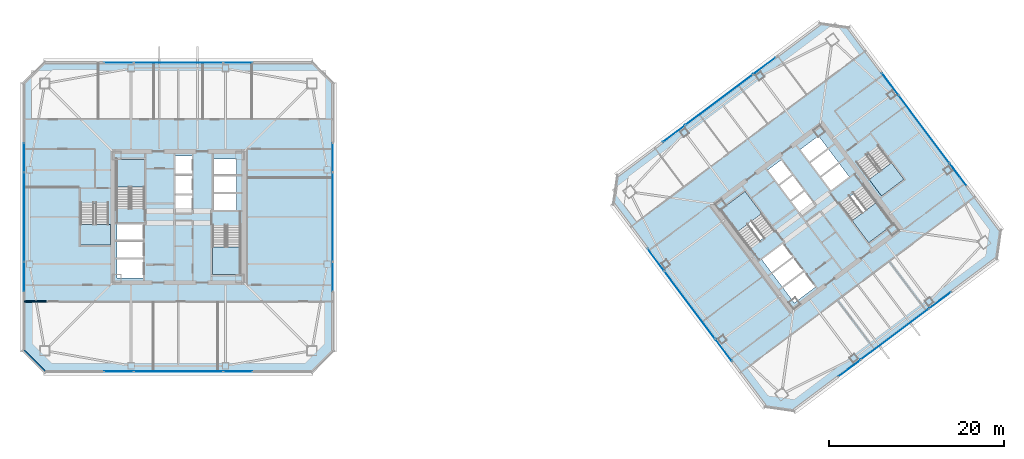
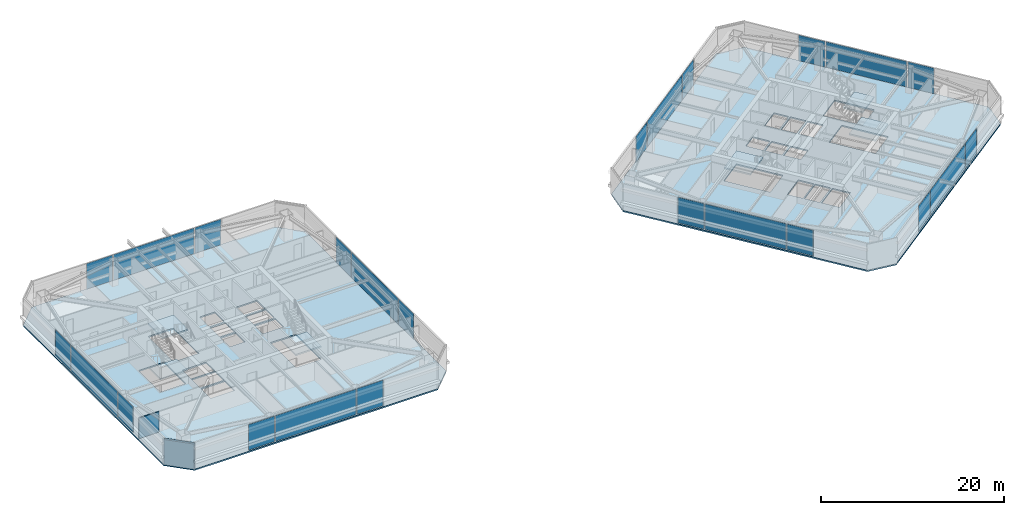
# One storey, part 31 of 42: 24 plates, 8 slabs, 2 walls, 30 elements without a shape of their own.
"""IFC4 building model written with IfcOpenShell, lengths in metres."""

from ifc_helpers import new_model, si_unit, direction, frame, frame_2d, origin, origin_2d, place, context, subcontext, project, spatial, polyline, rectangle, outline, extrude, material, layer, layer_set, type_object, element, aggregate, save


model = new_model("IFC4")

# Units and contexts
model_context = context("Model", 3, precision=1e-05, world=origin(), true_north=direction((0.0, 1.0)))
body_context = subcontext(model_context, "Body", "Model", "MODEL_VIEW")
ifc_project = project(units=[si_unit("LENGTHUNIT", "METRE"), si_unit("AREAUNIT", "SQUARE_METRE"), si_unit("VOLUMEUNIT", "CUBIC_METRE"), si_unit("PLANEANGLEUNIT", "RADIAN"), si_unit("MASSUNIT", "GRAM", prefix="KILO")], contexts=[model_context])

# Site, building, storey
site_placement = place(None, origin())
site = spatial("IfcSite", under=ifc_project, at=site_placement, CompositionType="ELEMENT")
building_placement = place(site_placement, origin())
building = spatial("IfcBuilding", under=site, at=building_placement, Name="Tashvorn Skyway Center", CompositionType="ELEMENT")
storey_placement = place(building_placement, frame((0.0, 0.0, 164.10009765625)))
storey = spatial("IfcBuildingStorey", under=building, at=storey_placement, Name="L44", CompositionType="ELEMENT", Elevation=164.10009765625)

# Curtain wall, plate
ifc_material_1 = material(Name="Thermally broken bronze-anodized aluminium 6063-T6", Category="aluminium")
curtain_wall_type = type_object("IfcCurtainWallType", Name="CW-CW-Z4", PredefinedType="NOTDEFINED", material=ifc_material_1)
curtain_wall_1_placement = place(storey_placement, origin())
curtain_wall_1 = element("IfcCurtainWall", 1, at=curtain_wall_1_placement, inside=storey, type_object=curtain_wall_type, Name="Tower 1 L44 South Unitised Curtain Wall Glazing Group 1", PredefinedType="NOTDEFINED")
ifc_material_2 = material(Name="Low-E solar-control double insulating safety glass", Category="glass")
ifc_layer_1 = layer(ifc_material_2, 0.035888671875)
ifc_layer_set_1 = layer_set([ifc_layer_1], Name="Low-E solar-control double insulating safety glass")
plate_type = type_object("IfcPlateType", Name="CWP-CW-Z4", PredefinedType="CURTAIN_PANEL", material=ifc_layer_set_1)
plate_1_placement = place(storey_placement, frame((48.83544921875, 14.320068359375, 0.06982421875), z_axis=(0.0, 0.0, 1.0), x_axis=(-1.0, 0.0, 0.0)))
plate_1 = element("IfcPlate", 2, at=plate_1_placement, type_object=plate_type, Name="CW-Z4 panel 1.1", PredefinedType="CURTAIN_PANEL", context=body_context, shape_type="SweptSolid", body=[
    extrude(rectangle(XDim=3.277587890625, YDim=0.035888671875, at=origin_2d()), origin(), (0.0, 0.0, 1.0), 3.409912109375),
])
aggregate(curtain_wall_1, [plate_1])

curtain_wall_2_placement = place(storey_placement, origin())
curtain_wall_2 = element("IfcCurtainWall", 3, at=curtain_wall_2_placement, inside=storey, type_object=curtain_wall_type, Name="Tower 1 L44 South Unitised Curtain Wall Glazing Group 2", PredefinedType="NOTDEFINED")
plate_2_placement = place(storey_placement, frame((42.0, 14.320068359375, 0.06982421875), z_axis=(0.0, 0.0, 1.0), x_axis=(-1.0, 0.0, 0.0)))
plate_2 = element("IfcPlate", 4, at=plate_2_placement, type_object=plate_type, Name="CW-Z4 panel 1.1", PredefinedType="CURTAIN_PANEL", context=body_context, shape_type="SweptSolid", body=[
    extrude(rectangle(XDim=10.11328125, YDim=0.035888671875, at=origin_2d()), origin(), (0.0, 0.0, 1.0), 3.409912109375),
])
aggregate(curtain_wall_2, [plate_2])

curtain_wall_3_placement = place(storey_placement, origin())
curtain_wall_3 = element("IfcCurtainWall", 5, at=curtain_wall_3_placement, inside=storey, type_object=curtain_wall_type, Name="Tower 1 L44 South Unitised Curtain Wall Glazing Group 3", PredefinedType="NOTDEFINED")
plate_3_placement = place(storey_placement, frame((35.16455078125, 14.320068359375, 0.06982421875), z_axis=(0.0, 0.0, 1.0), x_axis=(-1.0, 0.0, 0.0)))
plate_3 = element("IfcPlate", 6, at=plate_3_placement, type_object=plate_type, Name="CW-Z4 panel 1.1", PredefinedType="CURTAIN_PANEL", context=body_context, shape_type="SweptSolid", body=[
    extrude(rectangle(XDim=3.277587890625, YDim=0.035888671875, at=origin_2d()), origin(), (0.0, 0.0, 1.0), 3.409912109375),
])
aggregate(curtain_wall_3, [plate_3])

curtain_wall_4_placement = place(storey_placement, origin())
curtain_wall_4 = element("IfcCurtainWall", 7, at=curtain_wall_4_placement, inside=storey, type_object=curtain_wall_type, Name="Tower 1 L44 West Unitised Curtain Wall Glazing Group 1", PredefinedType="NOTDEFINED")
plate_4_placement = place(storey_placement, frame((24.320068359375, 25.16455078125, 0.06982421875), z_axis=(0.0, 0.0, 1.0), x_axis=(0.0, 1.0, 0.0)))
plate_4 = element("IfcPlate", 8, at=plate_4_placement, type_object=plate_type, Name="CW-Z4 panel 1.1", PredefinedType="CURTAIN_PANEL", context=body_context, shape_type="SweptSolid", body=[
    extrude(rectangle(XDim=3.277587890625, YDim=0.035888671875, at=origin_2d()), origin(), (0.0, 0.0, 1.0), 3.409912109375),
])
aggregate(curtain_wall_4, [plate_4])

curtain_wall_5_placement = place(storey_placement, origin())
curtain_wall_5 = element("IfcCurtainWall", 9, at=curtain_wall_5_placement, inside=storey, type_object=curtain_wall_type, Name="Tower 1 L44 West Unitised Curtain Wall Glazing Group 2", PredefinedType="NOTDEFINED")
plate_5_placement = place(storey_placement, frame((24.320068359375, 32.0, 0.06982421875), z_axis=(0.0, 0.0, 1.0), x_axis=(0.0, 1.0, 0.0)))
plate_5 = element("IfcPlate", 10, at=plate_5_placement, type_object=plate_type, Name="CW-Z4 panel 1.1", PredefinedType="CURTAIN_PANEL", context=body_context, shape_type="SweptSolid", body=[
    extrude(rectangle(XDim=10.11328125, YDim=0.035888671875, at=origin_2d()), origin(), (0.0, 0.0, 1.0), 3.409912109375),
])
aggregate(curtain_wall_5, [plate_5])

curtain_wall_6_placement = place(storey_placement, origin())
curtain_wall_6 = element("IfcCurtainWall", 11, at=curtain_wall_6_placement, inside=storey, type_object=curtain_wall_type, Name="Tower 1 L44 West Unitised Curtain Wall Glazing Group 3", PredefinedType="NOTDEFINED")
plate_6_placement = place(storey_placement, frame((24.320068359375, 38.83544921875, 0.06982421875), z_axis=(0.0, 0.0, 1.0), x_axis=(0.0, 1.0, 0.0)))
plate_6 = element("IfcPlate", 12, at=plate_6_placement, type_object=plate_type, Name="CW-Z4 panel 1.1", PredefinedType="CURTAIN_PANEL", context=body_context, shape_type="SweptSolid", body=[
    extrude(rectangle(XDim=3.277587890625, YDim=0.035888671875, at=origin_2d()), origin(), (0.0, 0.0, 1.0), 3.409912109375),
])
aggregate(curtain_wall_6, [plate_6])

curtain_wall_7_placement = place(storey_placement, origin())
curtain_wall_7 = element("IfcCurtainWall", 13, at=curtain_wall_7_placement, inside=storey, type_object=curtain_wall_type, Name="Tower 1 L44 North Unitised Curtain Wall Glazing Group 1", PredefinedType="NOTDEFINED")
plate_7_placement = place(storey_placement, frame((35.16455078125, 49.679931640625, 0.06982421875), z_axis=(0.0, 0.0, 1.0), x_axis=(1.0, 0.0, 0.0)))
plate_7 = element("IfcPlate", 14, at=plate_7_placement, type_object=plate_type, Name="CW-Z4 panel 1.1", PredefinedType="CURTAIN_PANEL", context=body_context, shape_type="SweptSolid", body=[
    extrude(rectangle(XDim=3.277587890625, YDim=0.035888671875, at=origin_2d()), origin(), (0.0, 0.0, 1.0), 3.409912109375),
])
aggregate(curtain_wall_7, [plate_7])

curtain_wall_8_placement = place(storey_placement, origin())
curtain_wall_8 = element("IfcCurtainWall", 15, at=curtain_wall_8_placement, inside=storey, type_object=curtain_wall_type, Name="Tower 1 L44 North Unitised Curtain Wall Glazing Group 2", PredefinedType="NOTDEFINED")
plate_8_placement = place(storey_placement, frame((42.0, 49.679931640625, 0.06982421875), z_axis=(0.0, 0.0, 1.0), x_axis=(1.0, 0.0, 0.0)))
plate_8 = element("IfcPlate", 16, at=plate_8_placement, type_object=plate_type, Name="CW-Z4 panel 1.1", PredefinedType="CURTAIN_PANEL", context=body_context, shape_type="SweptSolid", body=[
    extrude(rectangle(XDim=10.11328125, YDim=0.035888671875, at=origin_2d()), origin(), (0.0, 0.0, 1.0), 3.409912109375),
])
aggregate(curtain_wall_8, [plate_8])

curtain_wall_9_placement = place(storey_placement, origin())
curtain_wall_9 = element("IfcCurtainWall", 17, at=curtain_wall_9_placement, inside=storey, type_object=curtain_wall_type, Name="Tower 1 L44 North Unitised Curtain Wall Glazing Group 3", PredefinedType="NOTDEFINED")
plate_9_placement = place(storey_placement, frame((48.83544921875, 49.679931640625, 0.06982421875), z_axis=(0.0, 0.0, 1.0), x_axis=(1.0, 0.0, 0.0)))
plate_9 = element("IfcPlate", 18, at=plate_9_placement, type_object=plate_type, Name="CW-Z4 panel 1.1", PredefinedType="CURTAIN_PANEL", context=body_context, shape_type="SweptSolid", body=[
    extrude(rectangle(XDim=3.277587890625, YDim=0.035888671875, at=origin_2d()), origin(), (0.0, 0.0, 1.0), 3.409912109375),
])
aggregate(curtain_wall_9, [plate_9])

curtain_wall_10_placement = place(storey_placement, origin())
curtain_wall_10 = element("IfcCurtainWall", 19, at=curtain_wall_10_placement, inside=storey, type_object=curtain_wall_type, Name="Tower 1 L44 East Unitised Curtain Wall Glazing Group 1", PredefinedType="NOTDEFINED")
plate_10_placement = place(storey_placement, frame((59.679931640625, 38.83544921875, 0.06982421875), z_axis=(0.0, 0.0, 1.0), x_axis=(0.0, -1.0, 0.0)))
plate_10 = element("IfcPlate", 20, at=plate_10_placement, type_object=plate_type, Name="CW-Z4 panel 1.1", PredefinedType="CURTAIN_PANEL", context=body_context, shape_type="SweptSolid", body=[
    extrude(rectangle(XDim=3.277587890625, YDim=0.035888671875, at=origin_2d()), origin(), (0.0, 0.0, 1.0), 3.409912109375),
])
aggregate(curtain_wall_10, [plate_10])

curtain_wall_11_placement = place(storey_placement, origin())
curtain_wall_11 = element("IfcCurtainWall", 21, at=curtain_wall_11_placement, inside=storey, type_object=curtain_wall_type, Name="Tower 1 L44 East Unitised Curtain Wall Glazing Group 2", PredefinedType="NOTDEFINED")
plate_11_placement = place(storey_placement, frame((59.679931640625, 32.0, 0.06982421875), z_axis=(0.0, 0.0, 1.0), x_axis=(0.0, -1.0, 0.0)))
plate_11 = element("IfcPlate", 22, at=plate_11_placement, type_object=plate_type, Name="CW-Z4 panel 1.1", PredefinedType="CURTAIN_PANEL", context=body_context, shape_type="SweptSolid", body=[
    extrude(rectangle(XDim=10.11328125, YDim=0.035888671875, at=origin_2d()), origin(), (0.0, 0.0, 1.0), 3.409912109375),
])
aggregate(curtain_wall_11, [plate_11])

curtain_wall_12_placement = place(storey_placement, origin())
curtain_wall_12 = element("IfcCurtainWall", 23, at=curtain_wall_12_placement, inside=storey, type_object=curtain_wall_type, Name="Tower 1 L44 East Unitised Curtain Wall Glazing Group 3", PredefinedType="NOTDEFINED")
plate_12_placement = place(storey_placement, frame((59.679931640625, 25.16455078125, 0.06982421875), z_axis=(0.0, 0.0, 1.0), x_axis=(0.0, -1.0, 0.0)))
plate_12 = element("IfcPlate", 24, at=plate_12_placement, type_object=plate_type, Name="CW-Z4 panel 1.1", PredefinedType="CURTAIN_PANEL", context=body_context, shape_type="SweptSolid", body=[
    extrude(rectangle(XDim=3.277587890625, YDim=0.035888671875, at=origin_2d()), origin(), (0.0, 0.0, 1.0), 3.409912109375),
])
aggregate(curtain_wall_12, [plate_12])

curtain_wall_13_placement = place(storey_placement, origin())
curtain_wall_13 = element("IfcCurtainWall", 25, at=curtain_wall_13_placement, inside=storey, type_object=curtain_wall_type, Name="Tower 2 L44 South Unitised Curtain Wall Glazing Group 1", PredefinedType="NOTDEFINED")
plate_13_placement = place(storey_placement, frame((129.251953125, 22.464111328125, 0.06982421875), z_axis=(0.0, 0.0, 1.0), x_axis=(-0.799999999998, -0.600000000002, 0.0)))
plate_13 = element("IfcPlate", 26, at=plate_13_placement, type_object=plate_type, Name="CW-Z4 panel 1.1", PredefinedType="CURTAIN_PANEL", context=body_context, shape_type="SweptSolid", body=[
    extrude(rectangle(XDim=3.10009765625, YDim=0.035888671875, at=origin_2d()), origin(), (0.0, 0.0, 1.0), 3.409912109375),
])
aggregate(curtain_wall_13, [plate_13])

curtain_wall_14_placement = place(storey_placement, origin())
curtain_wall_14 = element("IfcCurtainWall", 27, at=curtain_wall_14_placement, inside=storey, type_object=curtain_wall_type, Name="Tower 2 L44 South Unitised Curtain Wall Glazing Group 2", PredefinedType="NOTDEFINED")
plate_14_placement = place(storey_placement, frame((124.068115234375, 18.575927734375, 0.06982421875), z_axis=(0.0, 0.0, 1.0), x_axis=(-0.799999999998, -0.600000000002, 0.0)))
plate_14 = element("IfcPlate", 28, at=plate_14_placement, type_object=plate_type, Name="CW-Z4 panel 1.1", PredefinedType="CURTAIN_PANEL", context=body_context, shape_type="SweptSolid", body=[
    extrude(rectangle(XDim=9.580078125, YDim=0.035888671875, at=origin_2d()), origin(), (0.0, 0.0, 1.0), 3.409912109375),
])
aggregate(curtain_wall_14, [plate_14])

curtain_wall_15_placement = place(storey_placement, origin())
curtain_wall_15 = element("IfcCurtainWall", 29, at=curtain_wall_15_placement, inside=storey, type_object=curtain_wall_type, Name="Tower 2 L44 South Unitised Curtain Wall Glazing Group 3", PredefinedType="NOTDEFINED")
plate_15_placement = place(storey_placement, frame((118.884033203125, 14.68798828125, 0.06982421875), z_axis=(0.0, 0.0, 1.0), x_axis=(-0.799999999998, -0.600000000002, 0.0)))
plate_15 = element("IfcPlate", 30, at=plate_15_placement, type_object=plate_type, Name="CW-Z4 panel 1.1", PredefinedType="CURTAIN_PANEL", context=body_context, shape_type="SweptSolid", body=[
    extrude(rectangle(XDim=3.10009765625, YDim=0.035888671875, at=origin_2d()), origin(), (0.0, 0.0, 1.0), 3.409912109375),
])
aggregate(curtain_wall_15, [plate_15])

curtain_wall_16_placement = place(storey_placement, origin())
curtain_wall_16 = element("IfcCurtainWall", 31, at=curtain_wall_16_placement, inside=storey, type_object=curtain_wall_type, Name="Tower 2 L44 West Unitised Curtain Wall Glazing Group 1", PredefinedType="NOTDEFINED")
plate_16_placement = place(storey_placement, frame((104.464111328125, 16.748046875, 0.06982421875), z_axis=(0.0, 0.0, 1.0), x_axis=(-0.600000000002, 0.799999999998, 0.0)))
plate_16 = element("IfcPlate", 32, at=plate_16_placement, type_object=plate_type, Name="CW-Z4 panel 1.1", PredefinedType="CURTAIN_PANEL", context=body_context, shape_type="SweptSolid", body=[
    extrude(rectangle(XDim=3.10009765625, YDim=0.035888671875, at=origin_2d()), origin(), (0.0, 0.0, 1.0), 3.409912109375),
])
aggregate(curtain_wall_16, [plate_16])

curtain_wall_17_placement = place(storey_placement, origin())
curtain_wall_17 = element("IfcCurtainWall", 33, at=curtain_wall_17_placement, inside=storey, type_object=curtain_wall_type, Name="Tower 2 L44 West Unitised Curtain Wall Glazing Group 2", PredefinedType="NOTDEFINED")
plate_17_placement = place(storey_placement, frame((100.575927734375, 21.931884765625, 0.06982421875), z_axis=(0.0, 0.0, 1.0), x_axis=(-0.600000000002, 0.799999999998, 0.0)))
plate_17 = element("IfcPlate", 34, at=plate_17_placement, type_object=plate_type, Name="CW-Z4 panel 1.1", PredefinedType="CURTAIN_PANEL", context=body_context, shape_type="SweptSolid", body=[
    extrude(rectangle(XDim=9.580078125, YDim=0.035888671875, at=origin_2d()), origin(), (0.0, 0.0, 1.0), 3.409912109375),
])
aggregate(curtain_wall_17, [plate_17])

curtain_wall_18_placement = place(storey_placement, origin())
curtain_wall_18 = element("IfcCurtainWall", 35, at=curtain_wall_18_placement, inside=storey, type_object=curtain_wall_type, Name="Tower 2 L44 West Unitised Curtain Wall Glazing Group 3", PredefinedType="NOTDEFINED")
plate_18_placement = place(storey_placement, frame((96.68798828125, 27.115966796875, 0.06982421875), z_axis=(0.0, 0.0, 1.0), x_axis=(-0.600000000002, 0.799999999998, 0.0)))
plate_18 = element("IfcPlate", 36, at=plate_18_placement, type_object=plate_type, Name="CW-Z4 panel 1.1", PredefinedType="CURTAIN_PANEL", context=body_context, shape_type="SweptSolid", body=[
    extrude(rectangle(XDim=3.10009765625, YDim=0.035888671875, at=origin_2d()), origin(), (0.0, 0.0, 1.0), 3.409912109375),
])
aggregate(curtain_wall_18, [plate_18])

curtain_wall_19_placement = place(storey_placement, origin())
curtain_wall_19 = element("IfcCurtainWall", 37, at=curtain_wall_19_placement, inside=storey, type_object=curtain_wall_type, Name="Tower 2 L44 North Unitised Curtain Wall Glazing Group 1", PredefinedType="NOTDEFINED")
plate_19_placement = place(storey_placement, frame((98.748046875, 41.535888671875, 0.06982421875), z_axis=(0.0, 0.0, 1.0), x_axis=(0.799999999998, 0.600000000002, 0.0)))
plate_19 = element("IfcPlate", 38, at=plate_19_placement, type_object=plate_type, Name="CW-Z4 panel 1.1", PredefinedType="CURTAIN_PANEL", context=body_context, shape_type="SweptSolid", body=[
    extrude(rectangle(XDim=3.10009765625, YDim=0.035888671875, at=origin_2d()), origin(), (0.0, 0.0, 1.0), 3.409912109375),
])
aggregate(curtain_wall_19, [plate_19])

curtain_wall_20_placement = place(storey_placement, origin())
curtain_wall_20 = element("IfcCurtainWall", 39, at=curtain_wall_20_placement, inside=storey, type_object=curtain_wall_type, Name="Tower 2 L44 North Unitised Curtain Wall Glazing Group 2", PredefinedType="NOTDEFINED")
plate_20_placement = place(storey_placement, frame((103.931884765625, 45.424072265625, 0.06982421875), z_axis=(0.0, 0.0, 1.0), x_axis=(0.799999999998, 0.600000000002, 0.0)))
plate_20 = element("IfcPlate", 40, at=plate_20_placement, type_object=plate_type, Name="CW-Z4 panel 1.1", PredefinedType="CURTAIN_PANEL", context=body_context, shape_type="SweptSolid", body=[
    extrude(rectangle(XDim=9.580078125, YDim=0.035888671875, at=origin_2d()), origin(), (0.0, 0.0, 1.0), 3.409912109375),
])
aggregate(curtain_wall_20, [plate_20])

curtain_wall_21_placement = place(storey_placement, origin())
curtain_wall_21 = element("IfcCurtainWall", 41, at=curtain_wall_21_placement, inside=storey, type_object=curtain_wall_type, Name="Tower 2 L44 North Unitised Curtain Wall Glazing Group 3", PredefinedType="NOTDEFINED")
plate_21_placement = place(storey_placement, frame((109.115966796875, 49.31201171875, 0.06982421875), z_axis=(0.0, 0.0, 1.0), x_axis=(0.799999999998, 0.600000000002, 0.0)))
plate_21 = element("IfcPlate", 42, at=plate_21_placement, type_object=plate_type, Name="CW-Z4 panel 1.1", PredefinedType="CURTAIN_PANEL", context=body_context, shape_type="SweptSolid", body=[
    extrude(rectangle(XDim=3.10009765625, YDim=0.035888671875, at=origin_2d()), origin(), (0.0, 0.0, 1.0), 3.409912109375),
])
aggregate(curtain_wall_21, [plate_21])

curtain_wall_22_placement = place(storey_placement, origin())
curtain_wall_22 = element("IfcCurtainWall", 43, at=curtain_wall_22_placement, inside=storey, type_object=curtain_wall_type, Name="Tower 2 L44 East Unitised Curtain Wall Glazing Group 1", PredefinedType="NOTDEFINED")
plate_22_placement = place(storey_placement, frame((123.535888671875, 47.251953125, 0.06982421875), z_axis=(0.0, 0.0, 1.0), x_axis=(0.600000000002, -0.799999999998, 0.0)))
plate_22 = element("IfcPlate", 44, at=plate_22_placement, type_object=plate_type, Name="CW-Z4 panel 1.1", PredefinedType="CURTAIN_PANEL", context=body_context, shape_type="SweptSolid", body=[
    extrude(rectangle(XDim=3.10009765625, YDim=0.035888671875, at=origin_2d()), origin(), (0.0, 0.0, 1.0), 3.409912109375),
])
aggregate(curtain_wall_22, [plate_22])

curtain_wall_23_placement = place(storey_placement, origin())
curtain_wall_23 = element("IfcCurtainWall", 45, at=curtain_wall_23_placement, inside=storey, type_object=curtain_wall_type, Name="Tower 2 L44 East Unitised Curtain Wall Glazing Group 2", PredefinedType="NOTDEFINED")
plate_23_placement = place(storey_placement, frame((127.424072265625, 42.068115234375, 0.06982421875), z_axis=(0.0, 0.0, 1.0), x_axis=(0.600000000002, -0.799999999998, 0.0)))
plate_23 = element("IfcPlate", 46, at=plate_23_placement, type_object=plate_type, Name="CW-Z4 panel 1.1", PredefinedType="CURTAIN_PANEL", context=body_context, shape_type="SweptSolid", body=[
    extrude(rectangle(XDim=9.580078125, YDim=0.035888671875, at=origin_2d()), origin(), (0.0, 0.0, 1.0), 3.409912109375),
])
aggregate(curtain_wall_23, [plate_23])

curtain_wall_24_placement = place(storey_placement, origin())
curtain_wall_24 = element("IfcCurtainWall", 47, at=curtain_wall_24_placement, inside=storey, type_object=curtain_wall_type, Name="Tower 2 L44 East Unitised Curtain Wall Glazing Group 3", PredefinedType="NOTDEFINED")
plate_24_placement = place(storey_placement, frame((131.31201171875, 36.884033203125, 0.06982421875), z_axis=(0.0, 0.0, 1.0), x_axis=(0.600000000002, -0.799999999998, 0.0)))
plate_24 = element("IfcPlate", 48, at=plate_24_placement, type_object=plate_type, Name="CW-Z4 panel 1.1", PredefinedType="CURTAIN_PANEL", context=body_context, shape_type="SweptSolid", body=[
    extrude(rectangle(XDim=3.10009765625, YDim=0.035888671875, at=origin_2d()), origin(), (0.0, 0.0, 1.0), 3.409912109375),
])
aggregate(curtain_wall_24, [plate_24])

# Slabs
ifc_material_3 = material(Name="Concrete C40/50", Category="concrete")
ifc_layer_2 = layer(ifc_material_3, 0.179931640625)
ifc_layer_set_2 = layer_set([ifc_layer_2], Name="Concrete C40/50")
slab_type_1 = type_object("IfcSlabType", Name="SLAB-FLR-180", PredefinedType="FLOOR", material=ifc_layer_set_2)
slab_1_placement = place(storey_placement, frame((0.0, 0.0, -0.18017578125)))
element("IfcSlab", 49, at=slab_1_placement, inside=storey, type_object=slab_type_1, Name="Tower 1 L44 Composite Floor Slab", PredefinedType="FLOOR", context=body_context, shape_type="SweptSolid", body=[
    extrude(outline(polyline([(26.699951171875, 14.199951171875), (57.300048828125, 14.199951171875), (59.800048828125, 16.699951171875), (59.800048828125, 47.300048828125), (57.300048828125, 49.800048828125), (26.699951171875, 49.800048828125), (24.199951171875, 47.300048828125), (24.199951171875, 16.699951171875), (26.699951171875, 14.199951171875)]), holes=[polyline([(38.10009765625, 33.080078125), (38.10009765625, 38.60009765625), (34.89990234375, 38.60009765625), (34.89990234375, 33.080078125), (38.10009765625, 33.080078125)]), polyline([(45.89990234375, 30.919921875), (45.89990234375, 25.39990234375), (49.10009765625, 25.39990234375), (49.10009765625, 30.919921875), (45.89990234375, 30.919921875)]), polyline([(30.800048828125, 33.52001953125), (30.800048828125, 28.800048828125), (34.0, 28.800048828125), (34.0, 33.52001953125), (30.800048828125, 33.52001953125)]), polyline([(34.949951171875, 29.35009765625), (37.949951171875, 29.35009765625), (37.949951171875, 31.199951171875), (34.949951171875, 31.199951171875), (34.949951171875, 29.35009765625)]), polyline([(34.949951171875, 27.35009765625), (37.949951171875, 27.35009765625), (37.949951171875, 29.199951171875), (34.949951171875, 29.199951171875), (34.949951171875, 27.35009765625)]), polyline([(34.949951171875, 25.0), (37.949951171875, 25.0), (37.949951171875, 27.14990234375), (34.949951171875, 27.14990234375), (34.949951171875, 25.0)]), polyline([(41.64990234375, 32.449951171875), (43.550048828125, 32.449951171875), (43.550048828125, 34.5), (41.64990234375, 34.5), (41.64990234375, 32.449951171875)]), polyline([(41.64990234375, 34.699951171875), (43.550048828125, 34.699951171875), (43.550048828125, 36.75), (41.64990234375, 36.75), (41.64990234375, 34.699951171875)]), polyline([(41.64990234375, 36.949951171875), (43.550048828125, 36.949951171875), (43.550048828125, 39.0), (41.64990234375, 39.0), (41.64990234375, 36.949951171875)]), polyline([(46.050048828125, 32.800048828125), (48.64990234375, 32.800048828125), (48.64990234375, 34.64990234375), (46.050048828125, 34.64990234375), (46.050048828125, 32.800048828125)]), polyline([(46.050048828125, 34.85009765625), (48.64990234375, 34.85009765625), (48.64990234375, 36.699951171875), (46.050048828125, 36.699951171875), (46.050048828125, 34.85009765625)]), polyline([(46.050048828125, 36.89990234375), (48.64990234375, 36.89990234375), (48.64990234375, 38.64990234375), (46.050048828125, 38.64990234375), (46.050048828125, 36.89990234375)])]), origin(), (0.0, 0.0, 1.0), 0.18017578125),
])
slab_2_placement = place(storey_placement, frame((0.0, 0.0, -0.18017578125)))
element("IfcSlab", 50, at=slab_2_placement, inside=storey, type_object=slab_type_1, Name="Tower 2 L44 Composite Floor Slab", PredefinedType="FLOOR", context=body_context, shape_type="SweptSolid", body=[
    extrude(outline(polyline([(112.5400390625, 9.780029296875), (135.739990234375, 27.179931640625), (136.219970703125, 30.5400390625), (118.820068359375, 53.739990234375), (115.4599609375, 54.219970703125), (92.260009765625, 36.820068359375), (91.780029296875, 33.4599609375), (109.179931640625, 10.260009765625), (112.5400390625, 9.780029296875)]), holes=[polyline([(110.23193359375, 30.52392578125), (106.919921875, 34.93994140625), (104.135986328125, 32.85205078125), (107.447998046875, 28.43603515625), (110.23193359375, 30.52392578125)]), polyline([(117.76806640625, 33.47607421875), (121.080078125, 29.06005859375), (123.864013671875, 31.14794921875), (120.552001953125, 35.56396484375), (117.76806640625, 33.47607421875)]), polyline([(119.7119140625, 38.18408203125), (122.5439453125, 34.407958984375), (125.10400390625, 36.327880859375), (122.27197265625, 40.10400390625), (119.7119140625, 38.18408203125)]), polyline([(109.949951171875, 25.64990234375), (112.35009765625, 27.449951171875), (111.239990234375, 28.929931640625), (108.840087890625, 27.1298828125), (109.949951171875, 25.64990234375)]), polyline([(111.14990234375, 24.050048828125), (113.550048828125, 25.85009765625), (112.43994140625, 27.330078125), (110.0400390625, 25.530029296875), (111.14990234375, 24.050048828125)]), polyline([(112.56005859375, 22.169921875), (114.9599609375, 23.969970703125), (113.669921875, 25.68994140625), (111.27001953125, 23.889892578125), (112.56005859375, 22.169921875)]), polyline([(113.449951171875, 32.14990234375), (114.969970703125, 33.2900390625), (113.739990234375, 34.929931640625), (112.219970703125, 33.7900390625), (113.449951171875, 32.14990234375)]), polyline([(112.10009765625, 33.949951171875), (113.6201171875, 35.090087890625), (112.389892578125, 36.72998046875), (110.8701171875, 35.590087890625), (112.10009765625, 33.949951171875)]), polyline([(110.75, 35.75), (112.27001953125, 36.889892578125), (111.0400390625, 38.530029296875), (109.52001953125, 37.389892578125), (110.75, 35.75)]), polyline([(116.760009765625, 35.070068359375), (118.840087890625, 36.6298828125), (117.72998046875, 38.110107421875), (115.64990234375, 36.550048828125), (116.760009765625, 35.070068359375)]), polyline([(115.530029296875, 36.7099609375), (117.610107421875, 38.27001953125), (116.5, 39.75), (114.419921875, 38.18994140625), (115.530029296875, 36.7099609375)]), polyline([(114.300048828125, 38.35009765625), (116.3798828125, 39.909912109375), (115.330078125, 41.31005859375), (113.25, 39.75), (114.300048828125, 38.35009765625)])]), origin(), (0.0, 0.0, 1.0), 0.18017578125),
])

# Stair, slab
stair_type = type_object("IfcStairType", Name="STAIR-CORE-1500", PredefinedType="HALF_TURN_STAIR", material=ifc_material_3)
stair_1_placement = place(storey_placement, origin())
stair_1 = element("IfcStair", 51, at=stair_1_placement, inside=storey, type_object=stair_type, Name="L44 Tower 1 Exit Stair 1", PredefinedType="HALF_TURN_STAIR")
ifc_layer_3 = layer(ifc_material_3, 0.199951171875)
ifc_layer_set_3 = layer_set([ifc_layer_3], Name="Concrete C40/50")
slab_type_2 = type_object("IfcSlabType", Name="SLAB-LAND-200", PredefinedType="LANDING", material=ifc_layer_set_3)
slab_3_placement = place(storey_placement, frame((0.0, 0.0, 1.574951171875)))
slab_3 = element("IfcSlab", 52, at=slab_3_placement, type_object=slab_type_2, Name="ST-T1-1 landing 1", PredefinedType="LANDING", context=body_context, shape_type="SweptSolid", body=[
    extrude(outline(polyline([(38.10009765625, 35.43994140625), (38.10009765625, 38.60009765625), (34.89990234375, 38.60009765625), (34.89990234375, 35.43994140625), (38.10009765625, 35.43994140625)])), origin(), (0.0, 0.0, 1.0), 0.199951171875),
])
aggregate(stair_1, [slab_3])

stair_2_placement = place(storey_placement, origin())
stair_2 = element("IfcStair", 53, at=stair_2_placement, inside=storey, type_object=stair_type, Name="L44 Tower 1 Exit Stair 2", PredefinedType="HALF_TURN_STAIR")
slab_4_placement = place(storey_placement, frame((0.0, 0.0, 1.574951171875)))
slab_4 = element("IfcSlab", 54, at=slab_4_placement, type_object=slab_type_2, Name="ST-T1-2 landing 1", PredefinedType="LANDING", context=body_context, shape_type="SweptSolid", body=[
    extrude(outline(polyline([(45.89990234375, 28.56005859375), (45.89990234375, 25.39990234375), (49.10009765625, 25.39990234375), (49.10009765625, 28.56005859375), (45.89990234375, 28.56005859375)])), origin(), (0.0, 0.0, 1.0), 0.199951171875),
])
aggregate(stair_2, [slab_4])

stair_3_placement = place(storey_placement, origin())
stair_3 = element("IfcStair", 55, at=stair_3_placement, inside=storey, type_object=stair_type, Name="L44 Tower 2 Exit Stair 1", PredefinedType="HALF_TURN_STAIR")
slab_5_placement = place(storey_placement, frame((0.0, 0.0, 1.574951171875)))
slab_5 = element("IfcSlab", 56, at=slab_5_placement, type_object=slab_type_2, Name="ST-T2-1 landing 1", PredefinedType="LANDING", context=body_context, shape_type="SweptSolid", body=[
    extrude(outline(polyline([(108.82080078125, 32.405517578125), (106.919921875, 34.93994140625), (104.135986328125, 32.85205078125), (106.036865234375, 30.317626953125), (108.82080078125, 32.405517578125)])), origin(), (0.0, 0.0, 1.0), 0.199951171875),
])
aggregate(stair_3, [slab_5])

stair_4_placement = place(storey_placement, origin())
stair_4 = element("IfcStair", 57, at=stair_4_placement, inside=storey, type_object=stair_type, Name="L44 Tower 2 Exit Stair 2", PredefinedType="HALF_TURN_STAIR")
slab_6_placement = place(storey_placement, frame((0.0, 0.0, 1.574951171875)))
slab_6 = element("IfcSlab", 58, at=slab_6_placement, type_object=slab_type_2, Name="ST-T2-2 landing 1", PredefinedType="LANDING", context=body_context, shape_type="SweptSolid", body=[
    extrude(outline(polyline([(119.17919921875, 31.594482421875), (121.080078125, 29.06005859375), (123.864013671875, 31.14794921875), (121.963134765625, 33.682373046875), (119.17919921875, 31.594482421875)])), origin(), (0.0, 0.0, 1.0), 0.199951171875),
])
aggregate(stair_4, [slab_6])

stair_5_placement = place(storey_placement, origin())
stair_5 = element("IfcStair", 59, at=stair_5_placement, inside=storey, type_object=stair_type, Name="L44 Tower 1 Exit Stair 3", PredefinedType="HALF_TURN_STAIR")
slab_7_placement = place(storey_placement, frame((0.0, 0.0, 1.574951171875)))
slab_7 = element("IfcSlab", 60, at=slab_7_placement, type_object=slab_type_2, Name="ST-T1-3 landing 1", PredefinedType="LANDING", context=body_context, shape_type="SweptSolid", body=[
    extrude(outline(polyline([(30.800048828125, 31.159912109375), (30.800048828125, 28.800048828125), (34.199951171875, 28.800048828125), (34.199951171875, 31.159912109375), (30.800048828125, 31.159912109375)])), origin(), (0.0, 0.0, 1.0), 0.199951171875),
])
aggregate(stair_5, [slab_7])

stair_6_placement = place(storey_placement, origin())
stair_6 = element("IfcStair", 61, at=stair_6_placement, inside=storey, type_object=stair_type, Name="L44 Tower 2 Exit Stair 3", PredefinedType="HALF_TURN_STAIR")
slab_8_placement = place(storey_placement, frame((0.0, 0.0, 1.574951171875)))
slab_8 = element("IfcSlab", 62, at=slab_8_placement, type_object=slab_type_2, Name="ST-T2-3 landing 1", PredefinedType="LANDING", context=body_context, shape_type="SweptSolid", body=[
    extrude(outline(polyline([(121.123291015625, 36.302490234375), (122.5439453125, 34.407958984375), (125.10400390625, 36.327880859375), (123.68310546875, 38.222412109375), (121.123291015625, 36.302490234375)])), origin(), (0.0, 0.0, 1.0), 0.199951171875),
])
aggregate(stair_6, [slab_8])

# Walls
ifc_material_4 = material(Name="Precast concrete C40/50", Category="concrete")
ifc_layer_4 = layer(ifc_material_4, 0.280029296875)
ifc_layer_set_4 = layer_set([ifc_layer_4], Name="Precast concrete C40/50")
wall_type_1 = type_object("IfcWallType", Name="WALL-EXT-280", PredefinedType="SOLIDWALL", material=ifc_layer_set_4)
wall_1_placement = place(storey_placement, frame((26.699951171875, 14.300048828125, 0.0), z_axis=(0.0, 0.0, 1.0), x_axis=(-0.707106781187, 0.707106781187, 0.0)))
element("IfcWall", 63, at=wall_1_placement, inside=storey, type_object=wall_type_1, Name="Tower 1 L44 SW Precast Chamfer Wall", PredefinedType="SOLIDWALL", context=body_context, shape_type="SweptSolid", body=[
    extrude(rectangle(XDim=3.39404296875, YDim=0.280029296875, at=frame_2d((1.697021484375, 0.0))), origin(), (0.0, 0.0, 1.0), 3.369873046875),
])
ifc_material_5 = material(Name="Gypsum board on cold-formed steel stud framing", Category="steel")
ifc_layer_5 = layer(ifc_material_5, 0.135009765625)
ifc_layer_set_5 = layer_set([ifc_layer_5], Name="Gypsum board on cold-formed steel stud framing")
wall_type_2 = type_object("IfcWallType", Name="WALL-PART-135", PredefinedType="PARTITIONING", material=ifc_layer_set_5)
wall_2_placement = place(storey_placement, frame((24.320068359375, 22.330078125, 0.0), z_axis=(0.0, 0.0, 1.0), x_axis=(1.0, 0.0, 0.0)))
element("IfcWall", 64, at=wall_2_placement, inside=storey, type_object=wall_type_2, Name="Tower 1 L44 South-West Suite North Wall", PredefinedType="PARTITIONING", context=body_context, shape_type="SweptSolid", body=[
    extrude(rectangle(XDim=2.530029296875, YDim=0.135009765625, at=frame_2d((1.26513671875, 0.0))), origin(), (0.0, 0.0, 1.0), 2.722900390625),
])

save(model, "model.ifc")
